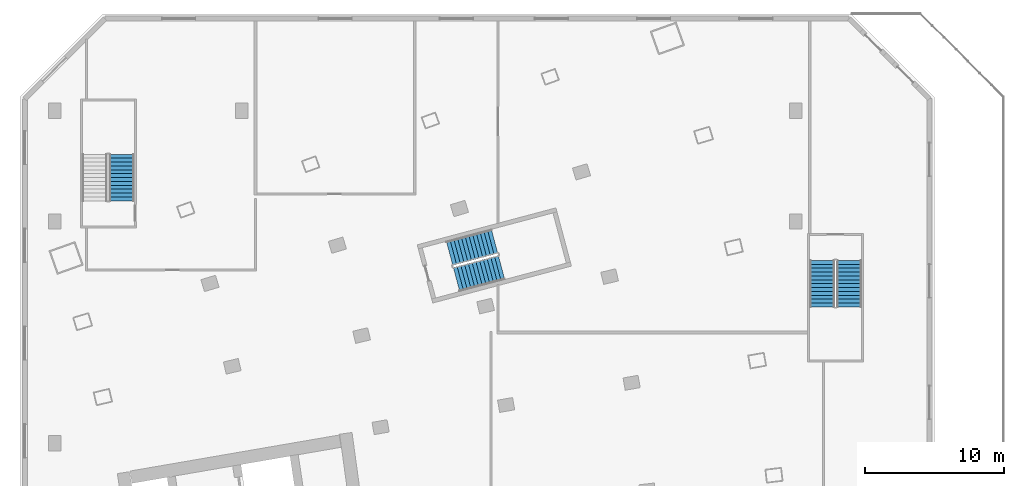
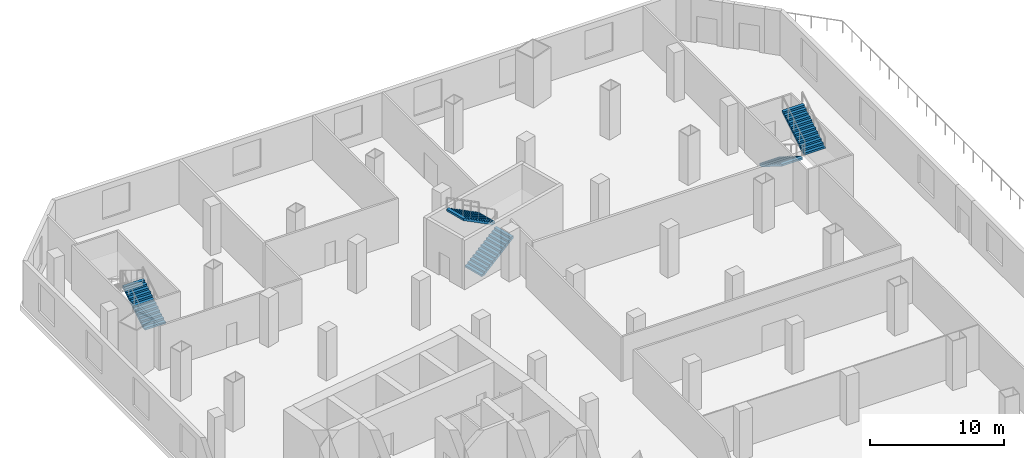
# One storey, part 9 of 14: 5 stair flights, 3 elements without a shape of their own.
"""IFC4 building model written with IfcOpenShell, lengths in metres."""

from ifc_helpers import new_model, si_unit, direction, frame, origin, place, context, subcontext, project, spatial, polyline, outline, extrude, material, layer, layer_set, type_object, element, aggregate, save


model = new_model("IFC4")

# Units and contexts
model_context = context("Model", 3, precision=1e-05, world=origin(), true_north=direction((0.0, 1.0)))
body_context = subcontext(model_context, "Body", "Model", "MODEL_VIEW")
ifc_project = project(units=[si_unit("LENGTHUNIT", "METRE"), si_unit("AREAUNIT", "SQUARE_METRE"), si_unit("VOLUMEUNIT", "CUBIC_METRE"), si_unit("PLANEANGLEUNIT", "RADIAN"), si_unit("MASSUNIT", "GRAM", prefix="KILO")], contexts=[model_context])

# Site, building, storey
site_placement = place(None, origin())
site = spatial("IfcSite", under=ifc_project, at=site_placement, CompositionType="ELEMENT")
building_placement = place(site_placement, origin())
building = spatial("IfcBuilding", under=site, at=building_placement, Name="Alderwake Tower", CompositionType="ELEMENT")
storey_placement = place(building_placement, frame((0.0, 0.0, 23.0)))
storey = spatial("IfcBuildingStorey", under=building, at=storey_placement, Name="L04", CompositionType="ELEMENT", Elevation=23.0)

# Stair, stair flights
ifc_material_1 = material(Name="Concrete C40/50", Category="concrete")
stair_type_1 = type_object("IfcStairType", Name="Core exit stair", PredefinedType="HALF_TURN_STAIR", material=ifc_material_1)
stair_1_placement = place(storey_placement, origin())
stair_1 = element("IfcStair", 1, at=stair_1_placement, inside=storey, type_object=stair_type_1, Name="L04 Exit Stair A", PredefinedType="HALF_TURN_STAIR")
ifc_material_2 = material(Name="Concrete C40/50", Category="concrete")
ifc_layer = layer(ifc_material_2, 0.14990234375)
ifc_layer_set = layer_set([ifc_layer], Name="Core stair flight")
stair_flight_type = type_object("IfcStairFlightType", Name="Core stair flight", PredefinedType="STRAIGHT", material=ifc_layer_set)
stair_flight_1_placement = place(storey_placement, frame((39.512939453125, 91.823974609375, 0.0), z_axis=(0.0, 0.0, 1.0), x_axis=(0.966309627437, 0.257382407951, 0.0)))
stair_flight_1 = element("IfcStairFlight", 2, at=stair_flight_1_placement, type_object=stair_flight_type, Name="ST-A flight 1", NumberOfRisers=13, NumberOfTreads=12, PredefinedType="STRAIGHT", RiserHeight=0.173076923, TreadLength=0.28, context=body_context, shape_type="SweptSolid", body=[
    extrude(outline(polyline([(0.0, 0.0), (0.0, 0.173095703125), (0.280029296875, 0.173095703125), (0.280029296875, 0.34619140625), (0.56005859375, 0.34619140625), (0.56005859375, 0.519287109375), (0.840087890625, 0.519287109375), (0.840087890625, 0.6923828125), (1.1201171875, 0.6923828125), (1.1201171875, 0.865478515625), (1.39990234375, 0.865478515625), (1.39990234375, 1.03857421875), (1.679931640625, 1.03857421875), (1.679931640625, 1.21142578125), (1.9599609375, 1.21142578125), (1.9599609375, 1.384521484375), (2.239990234375, 1.384521484375), (2.239990234375, 1.5576171875), (2.52001953125, 1.5576171875), (2.52001953125, 1.730712890625), (2.800048828125, 1.730712890625), (2.800048828125, 1.90380859375), (3.080078125, 1.90380859375), (3.080078125, 2.076904296875), (3.360107421875, 2.076904296875), (3.360107421875, 2.25), (3.360107421875, 1.900634765625), (0.28515625, 0.0), (0.0, 0.0)])), frame((0.0, 0.89990234375, 0.0), z_axis=(0.0, -1.0, 0.0), x_axis=(1.0, 0.0, 0.0)), (0.0, 0.0, 1.0), 1.800048828125),
])
stair_flight_2_placement = place(storey_placement, frame((42.2578125, 94.572998046875, 2.25), z_axis=(0.0, 0.0, 1.0), x_axis=(-0.966309627437, -0.257382407951, 0.0)))
stair_flight_2 = element("IfcStairFlight", 3, at=stair_flight_2_placement, type_object=stair_flight_type, Name="ST-A flight 2", NumberOfRisers=13, NumberOfTreads=12, PredefinedType="STRAIGHT", RiserHeight=0.173076923, TreadLength=0.28, context=body_context, shape_type="SweptSolid", body=[
    extrude(outline(polyline([(0.0, 0.0), (0.0, 0.173095703125), (0.280029296875, 0.173095703125), (0.280029296875, 0.34619140625), (0.56005859375, 0.34619140625), (0.56005859375, 0.519287109375), (0.840087890625, 0.519287109375), (0.840087890625, 0.6923828125), (1.1201171875, 0.6923828125), (1.1201171875, 0.865478515625), (1.39990234375, 0.865478515625), (1.39990234375, 1.03857421875), (1.679931640625, 1.03857421875), (1.679931640625, 1.21142578125), (1.9599609375, 1.21142578125), (1.9599609375, 1.384521484375), (2.239990234375, 1.384521484375), (2.239990234375, 1.5576171875), (2.52001953125, 1.5576171875), (2.52001953125, 1.730712890625), (2.800048828125, 1.730712890625), (2.800048828125, 1.90380859375), (3.080078125, 1.90380859375), (3.080078125, 2.076904296875), (3.360107421875, 2.076904296875), (3.360107421875, 2.25), (3.360107421875, 1.900634765625), (0.28515625, 0.0), (0.0, 0.0)])), frame((0.0, 0.89990234375, 0.0), z_axis=(0.0, -1.0, 0.0), x_axis=(1.0, 0.0, 0.0)), (0.0, 0.0, 1.0), 1.800048828125),
])
aggregate(stair_1, [stair_flight_1, stair_flight_2])

# Stair, stair flight
ifc_material_3 = material(Name="Concrete C40/50", Category="concrete")
stair_type_2 = type_object("IfcStairType", Name="Exit stair 1800 half-turn", PredefinedType="HALF_TURN_STAIR", material=ifc_material_3)
stair_2_placement = place(storey_placement, origin())
stair_2 = element("IfcStair", 4, at=stair_2_placement, inside=storey, type_object=stair_type_2, Name="L04 Podium stair P2", PredefinedType="HALF_TURN_STAIR")
stair_flight_3_placement = place(storey_placement, frame((15.35009765625, 97.5, 0.0), z_axis=(0.0, 0.0, 1.0), x_axis=(0.0, 1.0, 0.0)))
stair_flight_3 = element("IfcStairFlight", 5, at=stair_flight_3_placement, type_object=stair_flight_type, Name="ST-P2 flight 1", NumberOfRisers=13, NumberOfTreads=12, PredefinedType="STRAIGHT", RiserHeight=0.173076923, TreadLength=0.28, context=body_context, shape_type="SweptSolid", body=[
    extrude(outline(polyline([(0.0, 0.0), (0.0, 0.173095703125), (0.280029296875, 0.173095703125), (0.280029296875, 0.34619140625), (0.56005859375, 0.34619140625), (0.56005859375, 0.519287109375), (0.840087890625, 0.519287109375), (0.840087890625, 0.6923828125), (1.1201171875, 0.6923828125), (1.1201171875, 0.865478515625), (1.39990234375, 0.865478515625), (1.39990234375, 1.03857421875), (1.679931640625, 1.03857421875), (1.679931640625, 1.21142578125), (1.9599609375, 1.21142578125), (1.9599609375, 1.384521484375), (2.239990234375, 1.384521484375), (2.239990234375, 1.5576171875), (2.52001953125, 1.5576171875), (2.52001953125, 1.730712890625), (2.800048828125, 1.730712890625), (2.800048828125, 1.90380859375), (3.080078125, 1.90380859375), (3.080078125, 2.076904296875), (3.360107421875, 2.076904296875), (3.360107421875, 2.25), (3.360107421875, 1.900634765625), (0.28515625, 0.0), (0.0, 0.0)])), frame((0.0, 0.89990234375, 0.0), z_axis=(0.0, -1.0, 0.0), x_axis=(1.0, 0.0, 0.0)), (0.0, 0.0, 1.0), 1.800048828125),
])
aggregate(stair_2, [stair_flight_3])

# Stair, stair flights
stair_3_placement = place(storey_placement, origin())
stair_3 = element("IfcStair", 6, at=stair_3_placement, inside=storey, type_object=stair_type_2, Name="L04 Podium stair P3", PredefinedType="HALF_TURN_STAIR")
stair_flight_4_placement = place(storey_placement, frame((65.89990234375, 93.199951171875, 0.0), z_axis=(0.0, 0.0, 1.0), x_axis=(0.0, -1.0, 0.0)))
stair_flight_4 = element("IfcStairFlight", 7, at=stair_flight_4_placement, type_object=stair_flight_type, Name="ST-P3 flight 1", NumberOfRisers=13, NumberOfTreads=12, PredefinedType="STRAIGHT", RiserHeight=0.173076923, TreadLength=0.28, context=body_context, shape_type="SweptSolid", body=[
    extrude(outline(polyline([(0.0, 0.0), (0.0, 0.173095703125), (0.280029296875, 0.173095703125), (0.280029296875, 0.34619140625), (0.56005859375, 0.34619140625), (0.56005859375, 0.519287109375), (0.840087890625, 0.519287109375), (0.840087890625, 0.6923828125), (1.1201171875, 0.6923828125), (1.1201171875, 0.865478515625), (1.39990234375, 0.865478515625), (1.39990234375, 1.03857421875), (1.679931640625, 1.03857421875), (1.679931640625, 1.21142578125), (1.9599609375, 1.21142578125), (1.9599609375, 1.384521484375), (2.239990234375, 1.384521484375), (2.239990234375, 1.5576171875), (2.52001953125, 1.5576171875), (2.52001953125, 1.730712890625), (2.800048828125, 1.730712890625), (2.800048828125, 1.90380859375), (3.080078125, 1.90380859375), (3.080078125, 2.076904296875), (3.360107421875, 2.076904296875), (3.360107421875, 2.25), (3.360107421875, 1.900634765625), (0.28515625, 0.0), (0.0, 0.0)])), frame((0.0, 0.89990234375, 0.0), z_axis=(0.0, -1.0, 0.0), x_axis=(1.0, 0.0, 0.0)), (0.0, 0.0, 1.0), 1.800048828125),
])
stair_flight_5_placement = place(storey_placement, frame((67.85009765625, 89.840087890625, 2.25), z_axis=(0.0, 0.0, 1.0), x_axis=(0.0, 1.0, 0.0)))
stair_flight_5 = element("IfcStairFlight", 8, at=stair_flight_5_placement, type_object=stair_flight_type, Name="ST-P3 flight 2", NumberOfRisers=13, NumberOfTreads=12, PredefinedType="STRAIGHT", RiserHeight=0.173076923, TreadLength=0.28, context=body_context, shape_type="SweptSolid", body=[
    extrude(outline(polyline([(0.0, 0.0), (0.0, 0.173095703125), (0.280029296875, 0.173095703125), (0.280029296875, 0.34619140625), (0.56005859375, 0.34619140625), (0.56005859375, 0.519287109375), (0.840087890625, 0.519287109375), (0.840087890625, 0.6923828125), (1.1201171875, 0.6923828125), (1.1201171875, 0.865478515625), (1.39990234375, 0.865478515625), (1.39990234375, 1.03857421875), (1.679931640625, 1.03857421875), (1.679931640625, 1.21142578125), (1.9599609375, 1.21142578125), (1.9599609375, 1.384521484375), (2.239990234375, 1.384521484375), (2.239990234375, 1.5576171875), (2.52001953125, 1.5576171875), (2.52001953125, 1.730712890625), (2.800048828125, 1.730712890625), (2.800048828125, 1.90380859375), (3.080078125, 1.90380859375), (3.080078125, 2.076904296875), (3.360107421875, 2.076904296875), (3.360107421875, 2.25), (3.360107421875, 1.900634765625), (0.28515625, 0.0), (0.0, 0.0)])), frame((0.0, 0.89990234375, 0.0), z_axis=(0.0, -1.0, 0.0), x_axis=(1.0, 0.0, 0.0)), (0.0, 0.0, 1.0), 1.800048828125),
])
aggregate(stair_3, [stair_flight_4, stair_flight_5])

save(model, "model.ifc")
